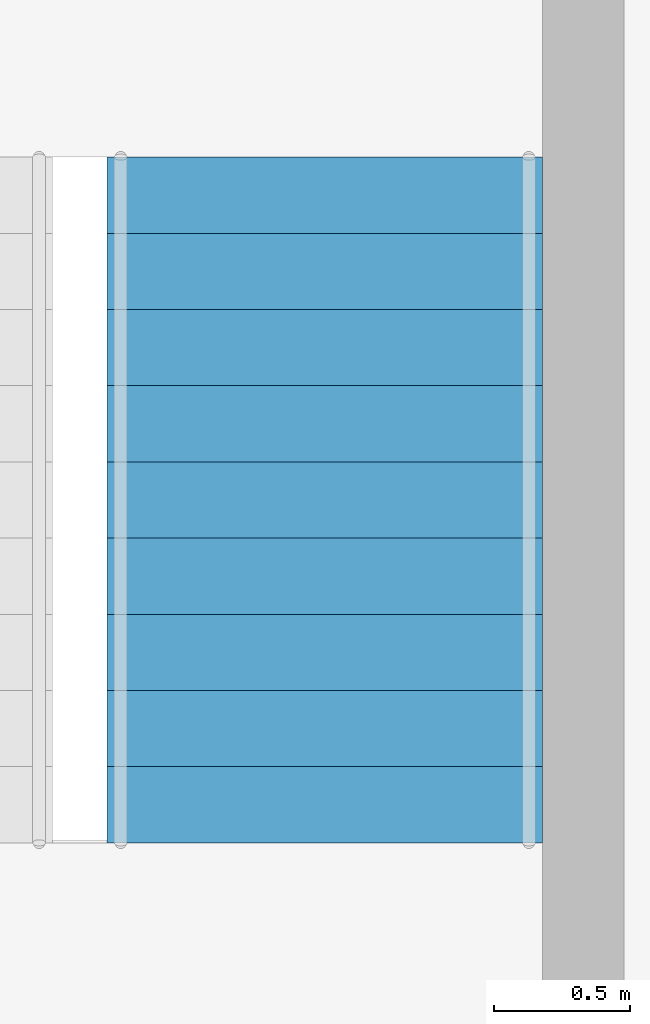
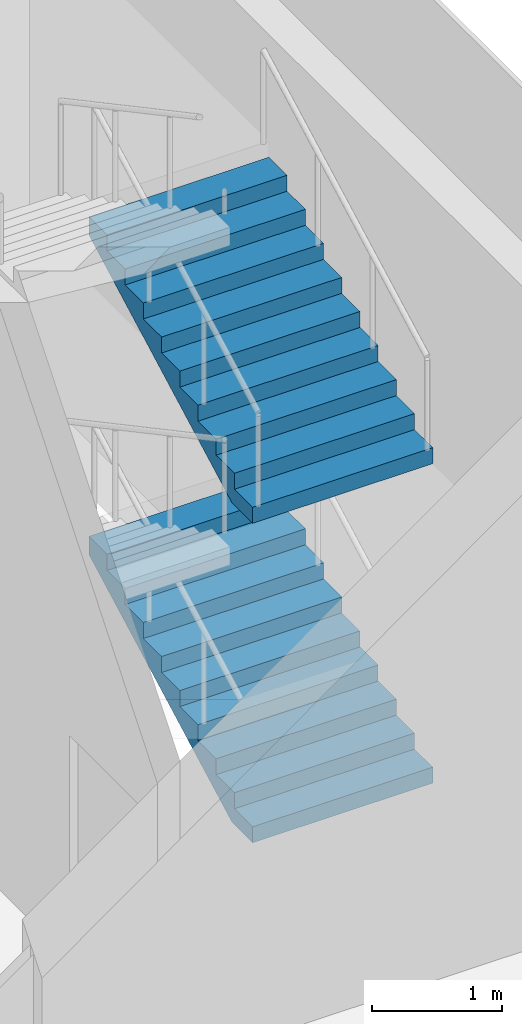
# One storey, part 85 of 100: 2 stair flights, 1 element without a shape of its own.
"""IFC4 building model written with IfcOpenShell, lengths in metres."""

from ifc_helpers import new_model, si_unit, direction, frame, origin, place, context, subcontext, project, spatial, triangles, material, type_object, element, aggregate, save


model = new_model("IFC4")

# Units and contexts
model_context = context("Model", 3, precision=1e-05, world=origin(), true_north=direction((0.0, 1.0)))
body_context = subcontext(model_context, "Body", "Model", "MODEL_VIEW")
ifc_project = project(units=[si_unit("LENGTHUNIT", "METRE"), si_unit("AREAUNIT", "SQUARE_METRE"), si_unit("VOLUMEUNIT", "CUBIC_METRE"), si_unit("PLANEANGLEUNIT", "RADIAN"), si_unit("MASSUNIT", "GRAM", prefix="KILO")], contexts=[model_context])

# Site, building, storey
site_placement = place(None, origin())
site = spatial("IfcSite", under=ifc_project, at=site_placement, CompositionType="ELEMENT")
building_placement = place(site_placement, origin())
building = spatial("IfcBuilding", under=site, at=building_placement, Name="Hakoniwa Tower and Hamabe Station Hall", CompositionType="ELEMENT")
storey_placement = place(building_placement, frame((0.0, 0.0, 9.0)))
storey = spatial("IfcBuildingStorey", under=building, at=storey_placement, Name="L02", CompositionType="ELEMENT", Elevation=9.0)

# Stair, stair flights
ifc_material_1 = material(Name="Concrete C40", Category="concrete")
stair_type = type_object("IfcStairType", Name="STAIR 1600 10X150", PredefinedType="HALF_TURN_STAIR", material=ifc_material_1)
stair_placement = place(storey_placement, origin())
stair = element("IfcStair", 1, at=stair_placement, inside=storey, type_object=stair_type, Name="Escape stair SS2 L02", PredefinedType="HALF_TURN_STAIR")
ifc_material_2 = material(Name="Concrete C40", Category="concrete")
stair_flight_type = type_object("IfcStairFlightType", Name="STAIR FLIGHT 1600", PredefinedType="STRAIGHT", material=ifc_material_2)
stair_flight_1_placement = place(storey_placement, frame((167.64990234375, 16.89990234375, 0.0), z_axis=(0.0, 0.0, 1.0), x_axis=(0.0, 1.0, 0.0)))
stair_flight_1 = element("IfcStairFlight", 2, at=stair_flight_1_placement, type_object=stair_flight_type, Name="SS2 flight 1", NumberOfRisers=10, NumberOfTreads=9, PredefinedType="STRAIGHT", RiserHeight=0.15, TreadLength=0.28, context=body_context, shape_type="Tessellation", body=[
    triangles([(0.0, 0.800048828125, 0.0), (0.280029296875, 0.800048828125, 0.0), (0.3173828125, 0.800048828125, 0.0), (0.56005859375, 0.800048828125, 0.1298828125), (0.840087890625, 0.800048828125, 0.280029296875), (1.1201171875, 0.800048828125, 0.429931640625), (1.39990234375, 0.800048828125, 0.579833984375), (1.679931640625, 0.800048828125, 0.72998046875), (1.9599609375, 0.800048828125, 0.8798828125), (2.239990234375, 0.800048828125, 1.030029296875), (2.52001953125, 0.800048828125, 1.179931640625), (2.52001953125, 0.800048828125, 1.35009765625), (2.239990234375, 0.800048828125, 1.35009765625), (2.239990234375, 0.800048828125, 1.199951171875), (1.9599609375, 0.800048828125, 1.199951171875), (1.9599609375, 0.800048828125, 1.050048828125), (1.679931640625, 0.800048828125, 1.050048828125), (1.679931640625, 0.800048828125, 0.89990234375), (1.39990234375, 0.800048828125, 0.89990234375), (1.39990234375, 0.800048828125, 0.75), (1.1201171875, 0.800048828125, 0.75), (1.1201171875, 0.800048828125, 0.60009765625), (0.840087890625, 0.800048828125, 0.60009765625), (0.840087890625, 0.800048828125, 0.449951171875), (0.56005859375, 0.800048828125, 0.449951171875), (0.56005859375, 0.800048828125, 0.300048828125), (0.3173828125, 0.800048828125, 0.300048828125), (0.280029296875, 0.800048828125, 0.300048828125), (0.280029296875, 0.800048828125, 0.14990234375), (0.0, 0.800048828125, 0.14990234375), (0.0, 0.06005859375, 0.0), (0.280029296875, 0.06005859375, 0.0), (0.3173828125, 0.06005859375, 0.0), (0.56005859375, 0.06005859375, 0.1298828125), (0.840087890625, 0.06005859375, 0.280029296875), (1.1201171875, 0.06005859375, 0.429931640625), (1.39990234375, 0.06005859375, 0.579833984375), (1.679931640625, 0.06005859375, 0.72998046875), (1.9599609375, 0.06005859375, 0.8798828125), (2.239990234375, 0.06005859375, 1.030029296875), (2.52001953125, 0.06005859375, 1.179931640625), (2.52001953125, 0.06005859375, 1.35009765625), (2.239990234375, 0.06005859375, 1.35009765625), (2.239990234375, 0.06005859375, 1.199951171875), (1.9599609375, 0.06005859375, 1.199951171875), (1.9599609375, 0.06005859375, 1.050048828125), (1.679931640625, 0.06005859375, 1.050048828125), (1.679931640625, 0.06005859375, 0.89990234375), (1.39990234375, 0.06005859375, 0.89990234375), (1.39990234375, 0.06005859375, 0.75), (1.1201171875, 0.06005859375, 0.75), (1.1201171875, 0.06005859375, 0.60009765625), (0.840087890625, 0.06005859375, 0.60009765625), (0.840087890625, 0.06005859375, 0.449951171875), (0.56005859375, 0.06005859375, 0.449951171875), (0.56005859375, 0.06005859375, 0.300048828125), (0.3173828125, 0.06005859375, 0.300048828125), (0.280029296875, 0.06005859375, 0.300048828125), (0.280029296875, 0.06005859375, 0.14990234375), (0.0, 0.06005859375, 0.14990234375), (0.0, 0.02001953125, 0.0), (0.280029296875, 0.02001953125, 0.0), (0.3173828125, 0.02001953125, 0.0), (0.56005859375, 0.02001953125, 0.1298828125), (0.840087890625, 0.02001953125, 0.280029296875), (1.1201171875, 0.02001953125, 0.429931640625), (1.39990234375, 0.02001953125, 0.579833984375), (1.679931640625, 0.02001953125, 0.72998046875), (1.9599609375, 0.02001953125, 0.8798828125), (2.239990234375, 0.02001953125, 1.030029296875), (2.52001953125, 0.02001953125, 1.179931640625), (2.52001953125, 0.02001953125, 1.35009765625), (2.239990234375, 0.02001953125, 1.35009765625), (2.239990234375, 0.02001953125, 1.199951171875), (1.9599609375, 0.02001953125, 1.199951171875), (1.9599609375, 0.02001953125, 1.050048828125), (1.679931640625, 0.02001953125, 1.050048828125), (1.679931640625, 0.02001953125, 0.89990234375), (1.39990234375, 0.02001953125, 0.89990234375), (1.39990234375, 0.02001953125, 0.75), (1.1201171875, 0.02001953125, 0.75), (1.1201171875, 0.02001953125, 0.60009765625), (0.840087890625, 0.02001953125, 0.60009765625), (0.840087890625, 0.02001953125, 0.449951171875), (0.56005859375, 0.02001953125, 0.449951171875), (0.56005859375, 0.02001953125, 0.300048828125), (0.3173828125, 0.02001953125, 0.300048828125), (0.280029296875, 0.02001953125, 0.300048828125), (0.280029296875, 0.02001953125, 0.14990234375), (0.0, 0.02001953125, 0.14990234375), (0.0, -0.02001953125, 0.0), (0.280029296875, -0.02001953125, 0.0), (0.3173828125, -0.02001953125, 0.0), (0.56005859375, -0.02001953125, 0.1298828125), (0.840087890625, -0.02001953125, 0.280029296875), (1.1201171875, -0.02001953125, 0.429931640625), (1.39990234375, -0.02001953125, 0.579833984375), (1.679931640625, -0.02001953125, 0.72998046875), (1.9599609375, -0.02001953125, 0.8798828125), (2.239990234375, -0.02001953125, 1.030029296875), (2.52001953125, -0.02001953125, 1.179931640625), (2.52001953125, -0.02001953125, 1.35009765625), (2.239990234375, -0.02001953125, 1.35009765625), (2.239990234375, -0.02001953125, 1.199951171875), (1.9599609375, -0.02001953125, 1.199951171875), (1.9599609375, -0.02001953125, 1.050048828125), (1.679931640625, -0.02001953125, 1.050048828125), (1.679931640625, -0.02001953125, 0.89990234375), (1.39990234375, -0.02001953125, 0.89990234375), (1.39990234375, -0.02001953125, 0.75), (1.1201171875, -0.02001953125, 0.75), (1.1201171875, -0.02001953125, 0.60009765625), (0.840087890625, -0.02001953125, 0.60009765625), (0.840087890625, -0.02001953125, 0.449951171875), (0.56005859375, -0.02001953125, 0.449951171875), (0.56005859375, -0.02001953125, 0.300048828125), (0.3173828125, -0.02001953125, 0.300048828125), (0.280029296875, -0.02001953125, 0.300048828125), (0.280029296875, -0.02001953125, 0.14990234375), (0.0, -0.02001953125, 0.14990234375), (0.0, -0.06005859375, 0.0), (0.280029296875, -0.06005859375, 0.0), (0.3173828125, -0.06005859375, 0.0), (0.56005859375, -0.06005859375, 0.1298828125), (0.840087890625, -0.06005859375, 0.280029296875), (1.1201171875, -0.06005859375, 0.429931640625), (1.39990234375, -0.06005859375, 0.579833984375), (1.679931640625, -0.06005859375, 0.72998046875), (1.9599609375, -0.06005859375, 0.8798828125), (2.239990234375, -0.06005859375, 1.030029296875), (2.52001953125, -0.06005859375, 1.179931640625), (2.52001953125, -0.06005859375, 1.35009765625), (2.239990234375, -0.06005859375, 1.35009765625), (2.239990234375, -0.06005859375, 1.199951171875), (1.9599609375, -0.06005859375, 1.199951171875), (1.9599609375, -0.06005859375, 1.050048828125), (1.679931640625, -0.06005859375, 1.050048828125), (1.679931640625, -0.06005859375, 0.89990234375), (1.39990234375, -0.06005859375, 0.89990234375), (1.39990234375, -0.06005859375, 0.75), (1.1201171875, -0.06005859375, 0.75), (1.1201171875, -0.06005859375, 0.60009765625), (0.840087890625, -0.06005859375, 0.60009765625), (0.840087890625, -0.06005859375, 0.449951171875), (0.56005859375, -0.06005859375, 0.449951171875), (0.56005859375, -0.06005859375, 0.300048828125), (0.3173828125, -0.06005859375, 0.300048828125), (0.280029296875, -0.06005859375, 0.300048828125), (0.280029296875, -0.06005859375, 0.14990234375), (0.0, -0.06005859375, 0.14990234375), (0.0, -0.800048828125, 0.0), (0.280029296875, -0.800048828125, 0.0), (0.3173828125, -0.800048828125, 0.0), (0.56005859375, -0.800048828125, 0.1298828125), (0.840087890625, -0.800048828125, 0.280029296875), (1.1201171875, -0.800048828125, 0.429931640625), (1.39990234375, -0.800048828125, 0.579833984375), (1.679931640625, -0.800048828125, 0.72998046875), (1.9599609375, -0.800048828125, 0.8798828125), (2.239990234375, -0.800048828125, 1.030029296875), (2.52001953125, -0.800048828125, 1.179931640625), (2.52001953125, -0.800048828125, 1.35009765625), (2.239990234375, -0.800048828125, 1.35009765625), (2.239990234375, -0.800048828125, 1.199951171875), (1.9599609375, -0.800048828125, 1.199951171875), (1.9599609375, -0.800048828125, 1.050048828125), (1.679931640625, -0.800048828125, 1.050048828125), (1.679931640625, -0.800048828125, 0.89990234375), (1.39990234375, -0.800048828125, 0.89990234375), (1.39990234375, -0.800048828125, 0.75), (1.1201171875, -0.800048828125, 0.75), (1.1201171875, -0.800048828125, 0.60009765625), (0.840087890625, -0.800048828125, 0.60009765625), (0.840087890625, -0.800048828125, 0.449951171875), (0.56005859375, -0.800048828125, 0.449951171875), (0.56005859375, -0.800048828125, 0.300048828125), (0.3173828125, -0.800048828125, 0.300048828125), (0.280029296875, -0.800048828125, 0.300048828125), (0.280029296875, -0.800048828125, 0.14990234375), (0.0, -0.800048828125, 0.14990234375)], [[2, 30, 29], [152, 179, 180], [2, 1, 30], [152, 180, 151], [3, 28, 27], [153, 177, 178], [3, 29, 28], [153, 178, 179], [3, 2, 29], [153, 179, 152], [4, 27, 26], [154, 176, 177], [4, 3, 27], [154, 177, 153], [5, 25, 24], [155, 174, 175], [5, 26, 25], [155, 175, 176], [5, 4, 26], [155, 176, 154], [6, 23, 22], [156, 172, 173], [6, 24, 23], [156, 173, 174], [6, 5, 24], [156, 174, 155], [7, 21, 20], [157, 170, 171], [7, 22, 21], [157, 171, 172], [7, 6, 22], [157, 172, 156], [8, 19, 18], [158, 168, 169], [8, 20, 19], [158, 169, 170], [8, 7, 20], [158, 170, 157], [9, 17, 16], [159, 166, 167], [9, 18, 17], [159, 167, 168], [9, 8, 18], [159, 168, 158], [10, 15, 14], [160, 164, 165], [10, 16, 15], [160, 165, 166], [10, 9, 16], [160, 166, 159], [11, 13, 12], [161, 162, 163], [11, 14, 13], [161, 163, 164], [11, 10, 14], [161, 164, 160], [1, 2, 32], [1, 32, 31], [31, 32, 62], [31, 62, 61], [61, 62, 92], [61, 92, 91], [91, 92, 122], [91, 122, 121], [121, 122, 152], [121, 152, 151], [2, 3, 33], [2, 33, 32], [32, 33, 63], [32, 63, 62], [62, 63, 93], [62, 93, 92], [92, 93, 123], [92, 123, 122], [122, 123, 153], [122, 153, 152], [3, 4, 34], [3, 34, 33], [33, 34, 64], [33, 64, 63], [63, 64, 94], [63, 94, 93], [93, 94, 124], [93, 124, 123], [123, 124, 154], [123, 154, 153], [4, 5, 35], [4, 35, 34], [34, 35, 65], [34, 65, 64], [64, 65, 95], [64, 95, 94], [94, 95, 125], [94, 125, 124], [124, 125, 155], [124, 155, 154], [5, 6, 36], [5, 36, 35], [35, 36, 66], [35, 66, 65], [65, 66, 96], [65, 96, 95], [95, 96, 126], [95, 126, 125], [125, 126, 156], [125, 156, 155], [6, 7, 37], [6, 37, 36], [36, 37, 67], [36, 67, 66], [66, 67, 97], [66, 97, 96], [96, 97, 127], [96, 127, 126], [126, 127, 157], [126, 157, 156], [7, 8, 38], [7, 38, 37], [37, 38, 68], [37, 68, 67], [67, 68, 98], [67, 98, 97], [97, 98, 128], [97, 128, 127], [127, 128, 158], [127, 158, 157], [8, 9, 39], [8, 39, 38], [38, 39, 69], [38, 69, 68], [68, 69, 99], [68, 99, 98], [98, 99, 129], [98, 129, 128], [128, 129, 159], [128, 159, 158], [9, 10, 40], [9, 40, 39], [39, 40, 70], [39, 70, 69], [69, 70, 100], [69, 100, 99], [99, 100, 130], [99, 130, 129], [129, 130, 160], [129, 160, 159], [10, 11, 41], [10, 41, 40], [40, 41, 71], [40, 71, 70], [70, 71, 101], [70, 101, 100], [100, 101, 131], [100, 131, 130], [130, 131, 161], [130, 161, 160], [11, 12, 42], [11, 42, 41], [41, 42, 72], [41, 72, 71], [71, 72, 102], [71, 102, 101], [101, 102, 132], [101, 132, 131], [131, 132, 162], [131, 162, 161], [12, 13, 43], [12, 43, 42], [42, 43, 73], [42, 73, 72], [72, 73, 103], [72, 103, 102], [102, 103, 133], [102, 133, 132], [132, 133, 163], [132, 163, 162], [13, 14, 44], [13, 44, 43], [43, 44, 74], [43, 74, 73], [73, 74, 104], [73, 104, 103], [103, 104, 134], [103, 134, 133], [133, 134, 164], [133, 164, 163], [14, 15, 45], [14, 45, 44], [44, 45, 75], [44, 75, 74], [74, 75, 105], [74, 105, 104], [104, 105, 135], [104, 135, 134], [134, 135, 165], [134, 165, 164], [15, 16, 46], [15, 46, 45], [45, 46, 76], [45, 76, 75], [75, 76, 106], [75, 106, 105], [105, 106, 136], [105, 136, 135], [135, 136, 166], [135, 166, 165], [16, 17, 47], [16, 47, 46], [46, 47, 77], [46, 77, 76], [76, 77, 107], [76, 107, 106], [106, 107, 137], [106, 137, 136], [136, 137, 167], [136, 167, 166], [17, 18, 48], [17, 48, 47], [47, 48, 78], [47, 78, 77], [77, 78, 108], [77, 108, 107], [107, 108, 138], [107, 138, 137], [137, 138, 168], [137, 168, 167], [18, 19, 49], [18, 49, 48], [48, 49, 79], [48, 79, 78], [78, 79, 109], [78, 109, 108], [108, 109, 139], [108, 139, 138], [138, 139, 169], [138, 169, 168], [19, 20, 50], [19, 50, 49], [49, 50, 80], [49, 80, 79], [79, 80, 110], [79, 110, 109], [109, 110, 140], [109, 140, 139], [139, 140, 170], [139, 170, 169], [20, 21, 51], [20, 51, 50], [50, 51, 81], [50, 81, 80], [80, 81, 111], [80, 111, 110], [110, 111, 141], [110, 141, 140], [140, 141, 171], [140, 171, 170], [21, 22, 52], [21, 52, 51], [51, 52, 82], [51, 82, 81], [81, 82, 112], [81, 112, 111], [111, 112, 142], [111, 142, 141], [141, 142, 172], [141, 172, 171], [22, 23, 53], [22, 53, 52], [52, 53, 83], [52, 83, 82], [82, 83, 113], [82, 113, 112], [112, 113, 143], [112, 143, 142], [142, 143, 173], [142, 173, 172], [23, 24, 54], [23, 54, 53], [53, 54, 84], [53, 84, 83], [83, 84, 114], [83, 114, 113], [113, 114, 144], [113, 144, 143], [143, 144, 174], [143, 174, 173], [24, 25, 55], [24, 55, 54], [54, 55, 85], [54, 85, 84], [84, 85, 115], [84, 115, 114], [114, 115, 145], [114, 145, 144], [144, 145, 175], [144, 175, 174], [25, 26, 56], [25, 56, 55], [55, 56, 86], [55, 86, 85], [85, 86, 116], [85, 116, 115], [115, 116, 146], [115, 146, 145], [145, 146, 176], [145, 176, 175], [26, 27, 57], [26, 57, 56], [56, 57, 87], [56, 87, 86], [86, 87, 117], [86, 117, 116], [116, 117, 147], [116, 147, 146], [146, 147, 177], [146, 177, 176], [27, 28, 58], [27, 58, 57], [57, 58, 88], [57, 88, 87], [87, 88, 118], [87, 118, 117], [117, 118, 148], [117, 148, 147], [147, 148, 178], [147, 178, 177], [28, 29, 59], [28, 59, 58], [58, 59, 89], [58, 89, 88], [88, 89, 119], [88, 119, 118], [118, 119, 149], [118, 149, 148], [148, 149, 179], [148, 179, 178], [29, 30, 60], [29, 60, 59], [59, 60, 90], [59, 90, 89], [89, 90, 120], [89, 120, 119], [119, 120, 150], [119, 150, 149], [149, 150, 180], [149, 180, 179], [30, 1, 31], [30, 31, 60], [60, 31, 61], [60, 61, 90], [90, 61, 91], [90, 91, 120], [120, 91, 121], [120, 121, 150], [150, 121, 151], [150, 151, 180]], closed=True),
])
stair_flight_2_placement = place(storey_placement, frame((167.64990234375, 16.89990234375, 3.0), z_axis=(0.0, 0.0, 1.0), x_axis=(0.0, 1.0, 0.0)))
stair_flight_2 = element("IfcStairFlight", 3, at=stair_flight_2_placement, type_object=stair_flight_type, Name="SS2 flight 3", NumberOfRisers=10, NumberOfTreads=9, PredefinedType="STRAIGHT", RiserHeight=0.15, TreadLength=0.28, context=body_context, shape_type="Tessellation", body=[
    triangles([(0.0, 0.800048828125, 0.0), (0.280029296875, 0.800048828125, 0.0), (0.3173828125, 0.800048828125, 0.0), (0.56005859375, 0.800048828125, 0.1298828125), (0.840087890625, 0.800048828125, 0.280029296875), (1.1201171875, 0.800048828125, 0.429931640625), (1.39990234375, 0.800048828125, 0.579833984375), (1.679931640625, 0.800048828125, 0.72998046875), (1.9599609375, 0.800048828125, 0.8798828125), (2.239990234375, 0.800048828125, 1.030029296875), (2.52001953125, 0.800048828125, 1.179931640625), (2.52001953125, 0.800048828125, 1.35009765625), (2.239990234375, 0.800048828125, 1.35009765625), (2.239990234375, 0.800048828125, 1.199951171875), (1.9599609375, 0.800048828125, 1.199951171875), (1.9599609375, 0.800048828125, 1.050048828125), (1.679931640625, 0.800048828125, 1.050048828125), (1.679931640625, 0.800048828125, 0.89990234375), (1.39990234375, 0.800048828125, 0.89990234375), (1.39990234375, 0.800048828125, 0.75), (1.1201171875, 0.800048828125, 0.75), (1.1201171875, 0.800048828125, 0.60009765625), (0.840087890625, 0.800048828125, 0.60009765625), (0.840087890625, 0.800048828125, 0.449951171875), (0.56005859375, 0.800048828125, 0.449951171875), (0.56005859375, 0.800048828125, 0.300048828125), (0.3173828125, 0.800048828125, 0.300048828125), (0.280029296875, 0.800048828125, 0.300048828125), (0.280029296875, 0.800048828125, 0.14990234375), (0.0, 0.800048828125, 0.14990234375), (0.0, 0.06005859375, 0.0), (0.280029296875, 0.06005859375, 0.0), (0.3173828125, 0.06005859375, 0.0), (0.56005859375, 0.06005859375, 0.1298828125), (0.840087890625, 0.06005859375, 0.280029296875), (1.1201171875, 0.06005859375, 0.429931640625), (1.39990234375, 0.06005859375, 0.579833984375), (1.679931640625, 0.06005859375, 0.72998046875), (1.9599609375, 0.06005859375, 0.8798828125), (2.239990234375, 0.06005859375, 1.030029296875), (2.52001953125, 0.06005859375, 1.179931640625), (2.52001953125, 0.06005859375, 1.35009765625), (2.239990234375, 0.06005859375, 1.35009765625), (2.239990234375, 0.06005859375, 1.199951171875), (1.9599609375, 0.06005859375, 1.199951171875), (1.9599609375, 0.06005859375, 1.050048828125), (1.679931640625, 0.06005859375, 1.050048828125), (1.679931640625, 0.06005859375, 0.89990234375), (1.39990234375, 0.06005859375, 0.89990234375), (1.39990234375, 0.06005859375, 0.75), (1.1201171875, 0.06005859375, 0.75), (1.1201171875, 0.06005859375, 0.60009765625), (0.840087890625, 0.06005859375, 0.60009765625), (0.840087890625, 0.06005859375, 0.449951171875), (0.56005859375, 0.06005859375, 0.449951171875), (0.56005859375, 0.06005859375, 0.300048828125), (0.3173828125, 0.06005859375, 0.300048828125), (0.280029296875, 0.06005859375, 0.300048828125), (0.280029296875, 0.06005859375, 0.14990234375), (0.0, 0.06005859375, 0.14990234375), (0.0, 0.02001953125, 0.0), (0.280029296875, 0.02001953125, 0.0), (0.3173828125, 0.02001953125, 0.0), (0.56005859375, 0.02001953125, 0.1298828125), (0.840087890625, 0.02001953125, 0.280029296875), (1.1201171875, 0.02001953125, 0.429931640625), (1.39990234375, 0.02001953125, 0.579833984375), (1.679931640625, 0.02001953125, 0.72998046875), (1.9599609375, 0.02001953125, 0.8798828125), (2.239990234375, 0.02001953125, 1.030029296875), (2.52001953125, 0.02001953125, 1.179931640625), (2.52001953125, 0.02001953125, 1.35009765625), (2.239990234375, 0.02001953125, 1.35009765625), (2.239990234375, 0.02001953125, 1.199951171875), (1.9599609375, 0.02001953125, 1.199951171875), (1.9599609375, 0.02001953125, 1.050048828125), (1.679931640625, 0.02001953125, 1.050048828125), (1.679931640625, 0.02001953125, 0.89990234375), (1.39990234375, 0.02001953125, 0.89990234375), (1.39990234375, 0.02001953125, 0.75), (1.1201171875, 0.02001953125, 0.75), (1.1201171875, 0.02001953125, 0.60009765625), (0.840087890625, 0.02001953125, 0.60009765625), (0.840087890625, 0.02001953125, 0.449951171875), (0.56005859375, 0.02001953125, 0.449951171875), (0.56005859375, 0.02001953125, 0.300048828125), (0.3173828125, 0.02001953125, 0.300048828125), (0.280029296875, 0.02001953125, 0.300048828125), (0.280029296875, 0.02001953125, 0.14990234375), (0.0, 0.02001953125, 0.14990234375), (0.0, -0.02001953125, 0.0), (0.280029296875, -0.02001953125, 0.0), (0.3173828125, -0.02001953125, 0.0), (0.56005859375, -0.02001953125, 0.1298828125), (0.840087890625, -0.02001953125, 0.280029296875), (1.1201171875, -0.02001953125, 0.429931640625), (1.39990234375, -0.02001953125, 0.579833984375), (1.679931640625, -0.02001953125, 0.72998046875), (1.9599609375, -0.02001953125, 0.8798828125), (2.239990234375, -0.02001953125, 1.030029296875), (2.52001953125, -0.02001953125, 1.179931640625), (2.52001953125, -0.02001953125, 1.35009765625), (2.239990234375, -0.02001953125, 1.35009765625), (2.239990234375, -0.02001953125, 1.199951171875), (1.9599609375, -0.02001953125, 1.199951171875), (1.9599609375, -0.02001953125, 1.050048828125), (1.679931640625, -0.02001953125, 1.050048828125), (1.679931640625, -0.02001953125, 0.89990234375), (1.39990234375, -0.02001953125, 0.89990234375), (1.39990234375, -0.02001953125, 0.75), (1.1201171875, -0.02001953125, 0.75), (1.1201171875, -0.02001953125, 0.60009765625), (0.840087890625, -0.02001953125, 0.60009765625), (0.840087890625, -0.02001953125, 0.449951171875), (0.56005859375, -0.02001953125, 0.449951171875), (0.56005859375, -0.02001953125, 0.300048828125), (0.3173828125, -0.02001953125, 0.300048828125), (0.280029296875, -0.02001953125, 0.300048828125), (0.280029296875, -0.02001953125, 0.14990234375), (0.0, -0.02001953125, 0.14990234375), (0.0, -0.06005859375, 0.0), (0.280029296875, -0.06005859375, 0.0), (0.3173828125, -0.06005859375, 0.0), (0.56005859375, -0.06005859375, 0.1298828125), (0.840087890625, -0.06005859375, 0.280029296875), (1.1201171875, -0.06005859375, 0.429931640625), (1.39990234375, -0.06005859375, 0.579833984375), (1.679931640625, -0.06005859375, 0.72998046875), (1.9599609375, -0.06005859375, 0.8798828125), (2.239990234375, -0.06005859375, 1.030029296875), (2.52001953125, -0.06005859375, 1.179931640625), (2.52001953125, -0.06005859375, 1.35009765625), (2.239990234375, -0.06005859375, 1.35009765625), (2.239990234375, -0.06005859375, 1.199951171875), (1.9599609375, -0.06005859375, 1.199951171875), (1.9599609375, -0.06005859375, 1.050048828125), (1.679931640625, -0.06005859375, 1.050048828125), (1.679931640625, -0.06005859375, 0.89990234375), (1.39990234375, -0.06005859375, 0.89990234375), (1.39990234375, -0.06005859375, 0.75), (1.1201171875, -0.06005859375, 0.75), (1.1201171875, -0.06005859375, 0.60009765625), (0.840087890625, -0.06005859375, 0.60009765625), (0.840087890625, -0.06005859375, 0.449951171875), (0.56005859375, -0.06005859375, 0.449951171875), (0.56005859375, -0.06005859375, 0.300048828125), (0.3173828125, -0.06005859375, 0.300048828125), (0.280029296875, -0.06005859375, 0.300048828125), (0.280029296875, -0.06005859375, 0.14990234375), (0.0, -0.06005859375, 0.14990234375), (0.0, -0.800048828125, 0.0), (0.280029296875, -0.800048828125, 0.0), (0.3173828125, -0.800048828125, 0.0), (0.56005859375, -0.800048828125, 0.1298828125), (0.840087890625, -0.800048828125, 0.280029296875), (1.1201171875, -0.800048828125, 0.429931640625), (1.39990234375, -0.800048828125, 0.579833984375), (1.679931640625, -0.800048828125, 0.72998046875), (1.9599609375, -0.800048828125, 0.8798828125), (2.239990234375, -0.800048828125, 1.030029296875), (2.52001953125, -0.800048828125, 1.179931640625), (2.52001953125, -0.800048828125, 1.35009765625), (2.239990234375, -0.800048828125, 1.35009765625), (2.239990234375, -0.800048828125, 1.199951171875), (1.9599609375, -0.800048828125, 1.199951171875), (1.9599609375, -0.800048828125, 1.050048828125), (1.679931640625, -0.800048828125, 1.050048828125), (1.679931640625, -0.800048828125, 0.89990234375), (1.39990234375, -0.800048828125, 0.89990234375), (1.39990234375, -0.800048828125, 0.75), (1.1201171875, -0.800048828125, 0.75), (1.1201171875, -0.800048828125, 0.60009765625), (0.840087890625, -0.800048828125, 0.60009765625), (0.840087890625, -0.800048828125, 0.449951171875), (0.56005859375, -0.800048828125, 0.449951171875), (0.56005859375, -0.800048828125, 0.300048828125), (0.3173828125, -0.800048828125, 0.300048828125), (0.280029296875, -0.800048828125, 0.300048828125), (0.280029296875, -0.800048828125, 0.14990234375), (0.0, -0.800048828125, 0.14990234375)], [[2, 30, 29], [152, 179, 180], [2, 1, 30], [152, 180, 151], [3, 28, 27], [153, 177, 178], [3, 29, 28], [153, 178, 179], [3, 2, 29], [153, 179, 152], [4, 27, 26], [154, 176, 177], [4, 3, 27], [154, 177, 153], [5, 25, 24], [155, 174, 175], [5, 26, 25], [155, 175, 176], [5, 4, 26], [155, 176, 154], [6, 23, 22], [156, 172, 173], [6, 24, 23], [156, 173, 174], [6, 5, 24], [156, 174, 155], [7, 21, 20], [157, 170, 171], [7, 22, 21], [157, 171, 172], [7, 6, 22], [157, 172, 156], [8, 19, 18], [158, 168, 169], [8, 20, 19], [158, 169, 170], [8, 7, 20], [158, 170, 157], [9, 17, 16], [159, 166, 167], [9, 18, 17], [159, 167, 168], [9, 8, 18], [159, 168, 158], [10, 15, 14], [160, 164, 165], [10, 16, 15], [160, 165, 166], [10, 9, 16], [160, 166, 159], [11, 13, 12], [161, 162, 163], [11, 14, 13], [161, 163, 164], [11, 10, 14], [161, 164, 160], [1, 2, 32], [1, 32, 31], [31, 32, 62], [31, 62, 61], [61, 62, 92], [61, 92, 91], [91, 92, 122], [91, 122, 121], [121, 122, 152], [121, 152, 151], [2, 3, 33], [2, 33, 32], [32, 33, 63], [32, 63, 62], [62, 63, 93], [62, 93, 92], [92, 93, 123], [92, 123, 122], [122, 123, 153], [122, 153, 152], [3, 4, 34], [3, 34, 33], [33, 34, 64], [33, 64, 63], [63, 64, 94], [63, 94, 93], [93, 94, 124], [93, 124, 123], [123, 124, 154], [123, 154, 153], [4, 5, 35], [4, 35, 34], [34, 35, 65], [34, 65, 64], [64, 65, 95], [64, 95, 94], [94, 95, 125], [94, 125, 124], [124, 125, 155], [124, 155, 154], [5, 6, 36], [5, 36, 35], [35, 36, 66], [35, 66, 65], [65, 66, 96], [65, 96, 95], [95, 96, 126], [95, 126, 125], [125, 126, 156], [125, 156, 155], [6, 7, 37], [6, 37, 36], [36, 37, 67], [36, 67, 66], [66, 67, 97], [66, 97, 96], [96, 97, 127], [96, 127, 126], [126, 127, 157], [126, 157, 156], [7, 8, 38], [7, 38, 37], [37, 38, 68], [37, 68, 67], [67, 68, 98], [67, 98, 97], [97, 98, 128], [97, 128, 127], [127, 128, 158], [127, 158, 157], [8, 9, 39], [8, 39, 38], [38, 39, 69], [38, 69, 68], [68, 69, 99], [68, 99, 98], [98, 99, 129], [98, 129, 128], [128, 129, 159], [128, 159, 158], [9, 10, 40], [9, 40, 39], [39, 40, 70], [39, 70, 69], [69, 70, 100], [69, 100, 99], [99, 100, 130], [99, 130, 129], [129, 130, 160], [129, 160, 159], [10, 11, 41], [10, 41, 40], [40, 41, 71], [40, 71, 70], [70, 71, 101], [70, 101, 100], [100, 101, 131], [100, 131, 130], [130, 131, 161], [130, 161, 160], [11, 12, 42], [11, 42, 41], [41, 42, 72], [41, 72, 71], [71, 72, 102], [71, 102, 101], [101, 102, 132], [101, 132, 131], [131, 132, 162], [131, 162, 161], [12, 13, 43], [12, 43, 42], [42, 43, 73], [42, 73, 72], [72, 73, 103], [72, 103, 102], [102, 103, 133], [102, 133, 132], [132, 133, 163], [132, 163, 162], [13, 14, 44], [13, 44, 43], [43, 44, 74], [43, 74, 73], [73, 74, 104], [73, 104, 103], [103, 104, 134], [103, 134, 133], [133, 134, 164], [133, 164, 163], [14, 15, 45], [14, 45, 44], [44, 45, 75], [44, 75, 74], [74, 75, 105], [74, 105, 104], [104, 105, 135], [104, 135, 134], [134, 135, 165], [134, 165, 164], [15, 16, 46], [15, 46, 45], [45, 46, 76], [45, 76, 75], [75, 76, 106], [75, 106, 105], [105, 106, 136], [105, 136, 135], [135, 136, 166], [135, 166, 165], [16, 17, 47], [16, 47, 46], [46, 47, 77], [46, 77, 76], [76, 77, 107], [76, 107, 106], [106, 107, 137], [106, 137, 136], [136, 137, 167], [136, 167, 166], [17, 18, 48], [17, 48, 47], [47, 48, 78], [47, 78, 77], [77, 78, 108], [77, 108, 107], [107, 108, 138], [107, 138, 137], [137, 138, 168], [137, 168, 167], [18, 19, 49], [18, 49, 48], [48, 49, 79], [48, 79, 78], [78, 79, 109], [78, 109, 108], [108, 109, 139], [108, 139, 138], [138, 139, 169], [138, 169, 168], [19, 20, 50], [19, 50, 49], [49, 50, 80], [49, 80, 79], [79, 80, 110], [79, 110, 109], [109, 110, 140], [109, 140, 139], [139, 140, 170], [139, 170, 169], [20, 21, 51], [20, 51, 50], [50, 51, 81], [50, 81, 80], [80, 81, 111], [80, 111, 110], [110, 111, 141], [110, 141, 140], [140, 141, 171], [140, 171, 170], [21, 22, 52], [21, 52, 51], [51, 52, 82], [51, 82, 81], [81, 82, 112], [81, 112, 111], [111, 112, 142], [111, 142, 141], [141, 142, 172], [141, 172, 171], [22, 23, 53], [22, 53, 52], [52, 53, 83], [52, 83, 82], [82, 83, 113], [82, 113, 112], [112, 113, 143], [112, 143, 142], [142, 143, 173], [142, 173, 172], [23, 24, 54], [23, 54, 53], [53, 54, 84], [53, 84, 83], [83, 84, 114], [83, 114, 113], [113, 114, 144], [113, 144, 143], [143, 144, 174], [143, 174, 173], [24, 25, 55], [24, 55, 54], [54, 55, 85], [54, 85, 84], [84, 85, 115], [84, 115, 114], [114, 115, 145], [114, 145, 144], [144, 145, 175], [144, 175, 174], [25, 26, 56], [25, 56, 55], [55, 56, 86], [55, 86, 85], [85, 86, 116], [85, 116, 115], [115, 116, 146], [115, 146, 145], [145, 146, 176], [145, 176, 175], [26, 27, 57], [26, 57, 56], [56, 57, 87], [56, 87, 86], [86, 87, 117], [86, 117, 116], [116, 117, 147], [116, 147, 146], [146, 147, 177], [146, 177, 176], [27, 28, 58], [27, 58, 57], [57, 58, 88], [57, 88, 87], [87, 88, 118], [87, 118, 117], [117, 118, 148], [117, 148, 147], [147, 148, 178], [147, 178, 177], [28, 29, 59], [28, 59, 58], [58, 59, 89], [58, 89, 88], [88, 89, 119], [88, 119, 118], [118, 119, 149], [118, 149, 148], [148, 149, 179], [148, 179, 178], [29, 30, 60], [29, 60, 59], [59, 60, 90], [59, 90, 89], [89, 90, 120], [89, 120, 119], [119, 120, 150], [119, 150, 149], [149, 150, 180], [149, 180, 179], [30, 1, 31], [30, 31, 60], [60, 31, 61], [60, 61, 90], [90, 61, 91], [90, 91, 120], [120, 91, 121], [120, 121, 150], [150, 121, 151], [150, 151, 180]], closed=True),
])
aggregate(stair, [stair_flight_1, stair_flight_2])

save(model, "model.ifc")
